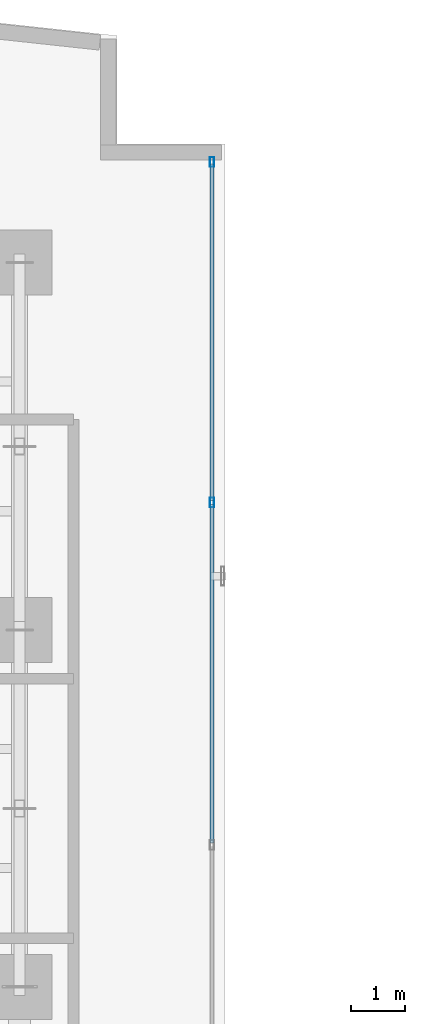
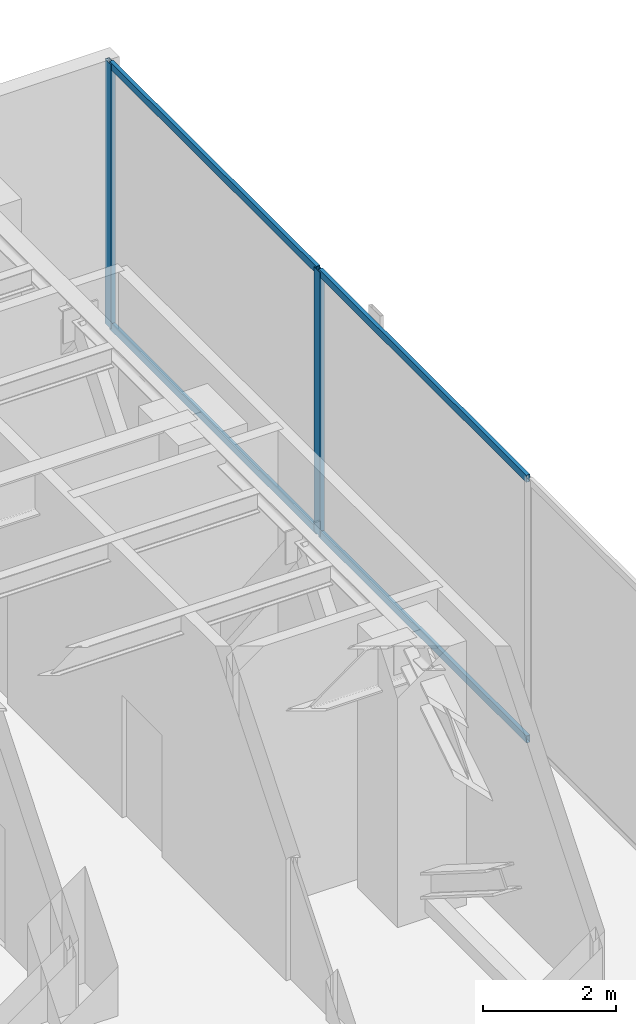
# One storey, part 25 of 36: 6 members, 1 element without a shape of its own.
"""IFC4 building model written with IfcOpenShell, lengths in metres."""

from ifc_helpers import new_model, si_unit, direction, frame, origin, origin_with_axes, origin_2d, place, context, subcontext, project, spatial, hollow_rectangle, extrude, source, transform, mapped, material, layer, layer_set, material_profile, profile_set, type_object, element, aggregate, save


model = new_model("IFC4")

# Units and contexts
model_context = context("Model", 3, precision=1e-05, world=origin(), true_north=direction((0.0, 1.0)))
body_context = subcontext(model_context, "Body", "Model", "MODEL_VIEW")
ifc_project = project(units=[si_unit("LENGTHUNIT", "METRE"), si_unit("AREAUNIT", "SQUARE_METRE"), si_unit("VOLUMEUNIT", "CUBIC_METRE"), si_unit("PLANEANGLEUNIT", "RADIAN"), si_unit("MASSUNIT", "GRAM", prefix="KILO")], contexts=[model_context])

# Site, building, storey
site_placement = place(None, origin())
site = spatial("IfcSite", under=ifc_project, at=site_placement, CompositionType="ELEMENT")
building_placement = place(site_placement, origin())
building = spatial("IfcBuilding", under=site, at=building_placement, Name="Kolvaren Waterfront Exchange", CompositionType="ELEMENT")
storey_placement = place(building_placement, frame((0.0, 0.0, 199.39990234375)))
storey = spatial("IfcBuildingStorey", under=building, at=storey_placement, Name="L51", CompositionType="ELEMENT", Elevation=199.39990234375)

# Curtain wall, members
ifc_material_1 = material(Name="Anodised dark bronze spandrel aluminium", Category="aluminium")
ifc_layer = layer(ifc_material_1, 0.219970703125, Name="Anodised dark bronze spandrel aluminium")
ifc_layer_set = layer_set([ifc_layer], Name="Anodised dark bronze spandrel aluminium")
curtain_wall_type = type_object("IfcCurtainWallType", Name="ARC-CW-SYS6", PredefinedType="USERDEFINED", material=ifc_layer_set)
curtain_wall_placement = place(storey_placement, origin())
curtain_wall = element("IfcCurtainWall", 1, at=curtain_wall_placement, inside=storey, type_object=curtain_wall_type, Name="L51 stick curtain wall CW6 (CW-L51-NE)", ObjectType="STICK CURTAIN WALL", PredefinedType="USERDEFINED")
ifc_material_2 = material(Name="Anodised bronze aluminium 6063-T6", Category="aluminium")
ifc_material_profile_1 = material_profile(ifc_material_2, hollow_rectangle(XDim=0.074951171875, YDim=0.179931640625, WallThickness=0.00439453125, at=origin_2d()), Name="ALU-MUL-180x75x4.5")
ifc_profile_set_1 = profile_set([ifc_material_profile_1], Name="Anodised bronze aluminium 6063-T6")
member_type_1 = type_object("IfcMemberType", Name="ARC-CWM-180", PredefinedType="MULLION", material=ifc_profile_set_1)
shared_shape_1 = source(origin_with_axes(), body_context, "Body", "SweptSolid", [
    extrude(hollow_rectangle(XDim=0.074951171875, YDim=0.179931640625, WallThickness=0.00439453125, at=origin_2d()), origin(), (0.0, 0.0, 1.0), 4.860107421875),
])
member_1_placement = place(storey_placement, frame((22.360107421875, 40.163330078125, 0.0), z_axis=(0.0, 0.0, 1.0), x_axis=(-1.0, 0.0, 0.0)))
member_1 = element("IfcMember", 2, at=member_1_placement, type_object=member_type_1, Name="CW6 mullion 3", PredefinedType="MULLION", context=body_context, shape_type="MappedRepresentation", body=[
    mapped(shared_shape_1, transform((0.0, 0.0, 0.0), x_axis=(1.0, 0.0, 0.0), y_axis=(0.0, 1.0, 0.0), z_axis=(0.0, 0.0, 1.0), scale=1.0)),
])
member_2_placement = place(storey_placement, frame((22.360107421875, 46.46240234375, 0.0), z_axis=(0.0, 0.0, 1.0), x_axis=(-1.0, 0.0, 0.0)))
member_2 = element("IfcMember", 3, at=member_2_placement, type_object=member_type_1, Name="CW6 mullion 4", PredefinedType="MULLION", context=body_context, shape_type="MappedRepresentation", body=[
    mapped(shared_shape_1, transform((0.0, 0.0, 0.0), x_axis=(1.0, 0.0, 0.0), y_axis=(0.0, 1.0, 0.0), z_axis=(0.0, 0.0, 1.0), scale=1.0)),
])
ifc_material_profile_2 = material_profile(ifc_material_2, hollow_rectangle(XDim=0.06494140625, YDim=0.1298828125, WallThickness=0.00390625, at=origin_2d()), Name="ALU-TRN-130x65x4")
ifc_profile_set_2 = profile_set([ifc_material_profile_2], Name="Anodised bronze aluminium 6063-T6")
member_type_2 = type_object("IfcMemberType", Name="ARC-CWT-130", PredefinedType="USERDEFINED", material=ifc_profile_set_2)
shared_shape_2 = source(origin_with_axes(), body_context, "Body", "SweptSolid", [
    extrude(hollow_rectangle(XDim=0.06494140625, YDim=0.1298828125, WallThickness=0.00390625, at=origin_2d()), origin(), (0.0, 0.0, 1.0), 6.22412109375),
])
member_3_placement = place(storey_placement, frame((22.360107421875, 40.200927734375, 0.03271484375), z_axis=(0.0, 1.0, 0.0), x_axis=(-1.0, 0.0, 0.0)))
member_3 = element("IfcMember", 4, at=member_3_placement, type_object=member_type_2, Name="CW6 transom 3.1", ObjectType="TRANSOM", PredefinedType="USERDEFINED", context=body_context, shape_type="MappedRepresentation", body=[
    mapped(shared_shape_2, transform((0.0, 0.0, 0.0), x_axis=(1.0, 0.0, 0.0), y_axis=(0.0, 1.0, 0.0), z_axis=(0.0, 0.0, 1.0), scale=1.0)),
])
member_4_placement = place(storey_placement, frame((22.360107421875, 40.200927734375, 4.82763671875), z_axis=(0.0, 1.0, 0.0), x_axis=(-1.0, 0.0, 0.0)))
member_4 = element("IfcMember", 5, at=member_4_placement, type_object=member_type_2, Name="CW6 transom 3.2", ObjectType="TRANSOM", PredefinedType="USERDEFINED", context=body_context, shape_type="MappedRepresentation", body=[
    mapped(shared_shape_2, transform((0.0, 0.0, 0.0), x_axis=(1.0, 0.0, 0.0), y_axis=(0.0, 1.0, 0.0), z_axis=(0.0, 0.0, 1.0), scale=1.0)),
])
shared_shape_3 = source(origin_with_axes(), body_context, "Body", "SweptSolid", [
    extrude(hollow_rectangle(XDim=0.06494140625, YDim=0.1298828125, WallThickness=0.00390625, at=origin_2d()), origin(), (0.0, 0.0, 1.0), 6.261474609375),
])
member_5_placement = place(storey_placement, frame((22.360107421875, 33.8642578125, 0.03271484375), z_axis=(0.0, 1.0, 0.0), x_axis=(-1.0, 0.0, 0.0)))
member_5 = element("IfcMember", 6, at=member_5_placement, type_object=member_type_2, Name="CW6 transom 2.1", ObjectType="TRANSOM", PredefinedType="USERDEFINED", context=body_context, shape_type="MappedRepresentation", body=[
    mapped(shared_shape_3, transform((0.0, 0.0, 0.0), x_axis=(1.0, 0.0, 0.0), y_axis=(0.0, 1.0, 0.0), z_axis=(0.0, 0.0, 1.0), scale=1.0)),
])
member_6_placement = place(storey_placement, frame((22.360107421875, 33.8642578125, 4.82763671875), z_axis=(0.0, 1.0, 0.0), x_axis=(-1.0, 0.0, 0.0)))
member_6 = element("IfcMember", 7, at=member_6_placement, type_object=member_type_2, Name="CW6 transom 2.2", ObjectType="TRANSOM", PredefinedType="USERDEFINED", context=body_context, shape_type="MappedRepresentation", body=[
    mapped(shared_shape_3, transform((0.0, 0.0, 0.0), x_axis=(1.0, 0.0, 0.0), y_axis=(0.0, 1.0, 0.0), z_axis=(0.0, 0.0, 1.0), scale=1.0)),
])
aggregate(curtain_wall, [member_1, member_2, member_5, member_6, member_3, member_4])

save(model, "model.ifc")
